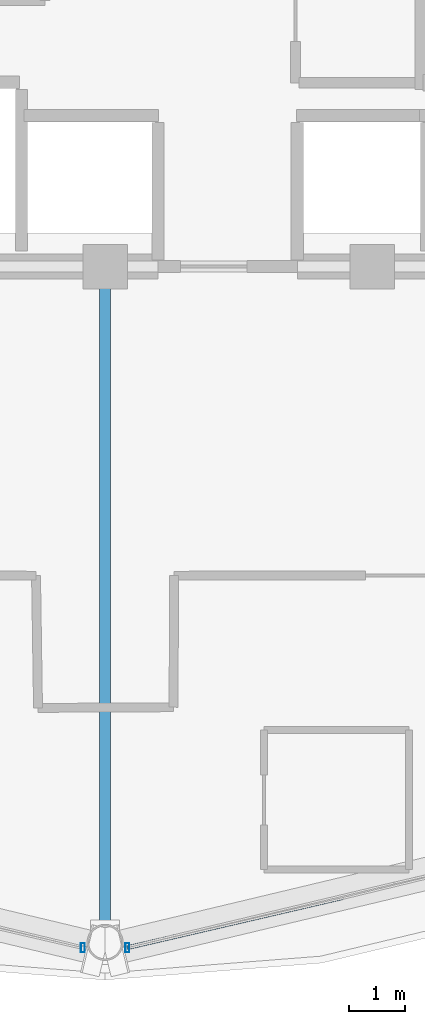
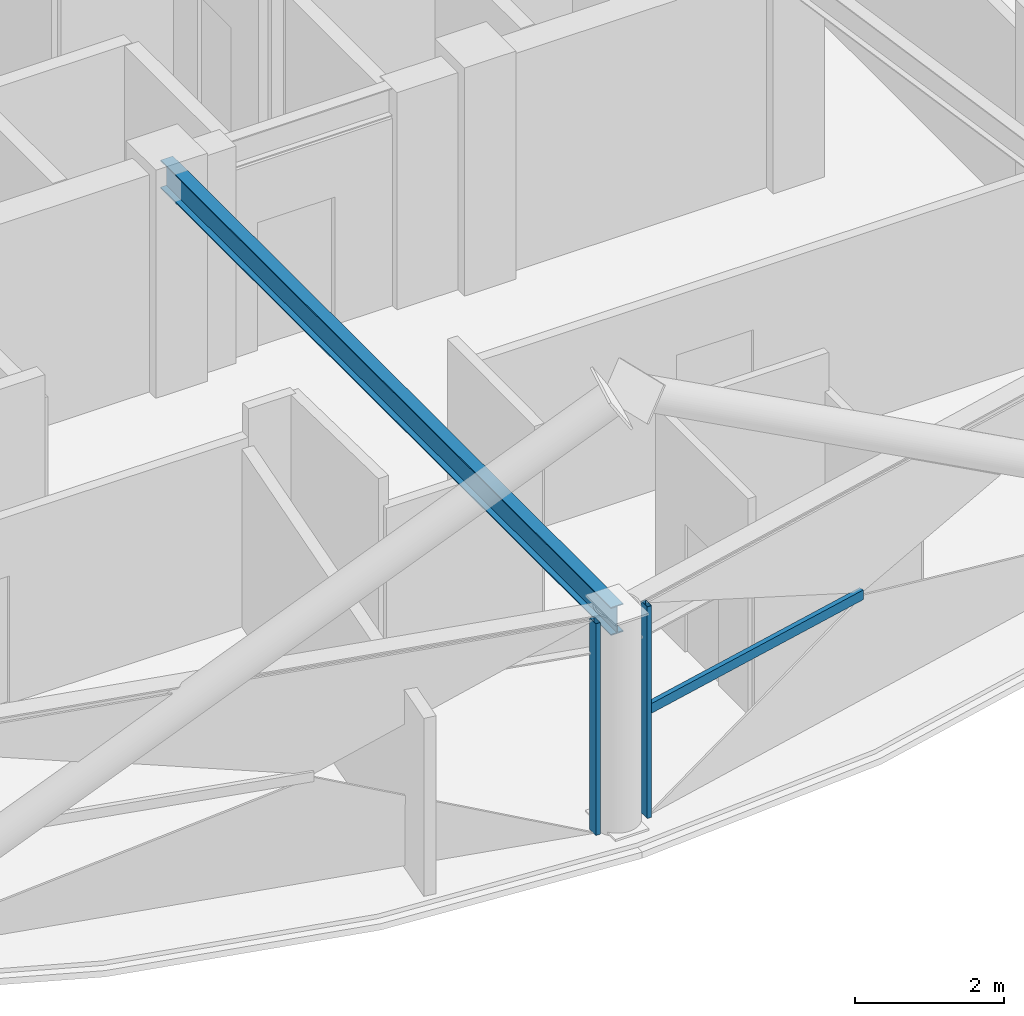
# One storey, part 5 of 28: 3 members, 1 beam, 2 elements without a shape of their own.
"""IFC4 building model written with IfcOpenShell, lengths in metres."""

import ifcopenshell
import ifcopenshell.guid

model = None  # the IFC model being written
_history = None  # IfcOwnerHistory: only IFC2X3 demands one
_inside = {}  # id of a spatial element -> (the spatial element, [elements in it])
_under = {}  # id of a project, library or spatial element -> (it, [spatial elements below it])
_declared = {}  # id of a project -> (the project, [libraries it declares])
_typed = {}  # id of a type object -> (the type object, [elements of that type])
_made_of = {}  # id of a material, layer set ... -> (it, [elements and type objects made of it])


def new_model(schema):
    """Start an empty IFC model of exactly this schema.

    Asked for "IFC4X3", IfcOpenShell would pick the latest addendum, in which some entities
    have other attributes; the version numbers below select the first issue.
    IFC2X3 requires an IfcOwnerHistory on every rooted entity: one is made here for all.
    """
    global model, _history
    if schema == "IFC4X3":
        model = ifcopenshell.file(schema_version=(4, 3, 0, 0))
    else:
        model = ifcopenshell.file(schema=schema)
    _inside.clear()
    _under.clear()
    _declared.clear()
    _typed.clear()
    _made_of.clear()
    _history = None
    if model.schema == "IFC2X3":
        org = make("IfcOrganization", Name="unknown")
        user = make(
            "IfcPersonAndOrganization",
            ThePerson=make("IfcPerson", FamilyName="unknown"),
            TheOrganization=org,
        )
        app = make(
            "IfcApplication",
            ApplicationDeveloper=org,
            Version="unknown",
            ApplicationFullName="unknown",
            ApplicationIdentifier="unknown",
        )
        _history = make(
            "IfcOwnerHistory",
            OwningUser=user,
            OwningApplication=app,
            ChangeAction="ADDED",
            CreationDate=0,
        )
    return model


def make(cls, **values):
    """One entity of the class cls with the attributes given. An attribute that is None is left unset."""
    return model.create_entity(
        cls, **{name: value for name, value in values.items() if value is not None}
    )


def rooted(cls, **values):
    """An entity with a GlobalId (a new one), such as an element, a storey or a relation."""
    return make(cls, GlobalId=ifcopenshell.guid.new(), OwnerHistory=_history, **values)


def si_unit(unit_type, name, prefix=None):
    """IfcSIUnit, for example si_unit("LENGTHUNIT", "METRE", prefix="MILLI")."""
    return make("IfcSIUnit", UnitType=unit_type, Prefix=prefix, Name=name)


def assignment(units):
    """IfcUnitAssignment: the units of a project."""
    return None if units is None else make("IfcUnitAssignment", Units=units)


def point(xyz):
    """IfcCartesianPoint."""
    return None if xyz is None else make("IfcCartesianPoint", Coordinates=xyz)


def direction(xyz):
    """IfcDirection."""
    return None if xyz is None else make("IfcDirection", DirectionRatios=xyz)


def frame(location, z_axis=None, x_axis=None):
    """IfcAxis2Placement3D, a coordinate frame: its origin and axes. An axis left out is left unset."""
    return make(
        "IfcAxis2Placement3D",
        Location=point(location),
        Axis=direction(z_axis),
        RefDirection=direction(x_axis),
    )


def frame_2d(location, x_axis=None):
    """IfcAxis2Placement2D, a coordinate frame in the plane: its origin and x axis."""
    return make(
        "IfcAxis2Placement2D", Location=point(location), RefDirection=direction(x_axis)
    )


def origin():
    """The frame at (0, 0, 0) with its axes left unset."""
    return frame((0.0, 0.0, 0.0))


def origin_2d():
    """The frame at (0, 0) in the plane with its x axis left unset."""
    return frame_2d((0.0, 0.0))


def place(relative_to, where):
    """IfcLocalPlacement: puts the frame where relative to a parent placement (None: the world)."""
    return make(
        "IfcLocalPlacement", PlacementRelTo=relative_to, RelativePlacement=where
    )


def context(
    kind, dimensions, precision=None, world=None, true_north=None, identifier=None
):
    """IfcGeometricRepresentationContext, for example the 3D "Model" context."""
    return make(
        "IfcGeometricRepresentationContext",
        ContextIdentifier=identifier,
        ContextType=kind,
        CoordinateSpaceDimension=dimensions,
        Precision=precision,
        WorldCoordinateSystem=world,
        TrueNorth=true_north,
    )


def subcontext(parent, identifier, kind, view, scale=None):
    """IfcGeometricRepresentationSubContext, for example "Body" below "Model"."""
    return make(
        "IfcGeometricRepresentationSubContext",
        ContextIdentifier=identifier,
        ContextType=kind,
        ParentContext=parent,
        TargetScale=scale,
        TargetView=view,
    )


def project(units=None, contexts=None):
    """IfcProject with its units and contexts."""
    return rooted(
        "IfcProject",
        Name="project",
        RepresentationContexts=contexts,
        UnitsInContext=assignment(units),
    )


def spatial(cls, under=None, at=None, **own):
    """A site, building, storey or space (cls), placed at a placement, below another one or the project."""
    s = rooted(cls, ObjectPlacement=at, **own)
    if under is not None:
        _under.setdefault(under.id(), (under, []))[1].append(s)
    return s


def profile(cls, at=None, kind="AREA", **sizes):
    """A parametric profile (cls). Its sizes go by their IFC names, for example OverallWidth=200.0."""
    return make(cls, ProfileType=kind, Position=at, **sizes)


def hollow_rectangle(**sizes):
    """IfcRectangleHollowProfileDef."""
    return profile("IfcRectangleHollowProfileDef", **sizes)


def i_section(**sizes):
    """IfcIShapeProfileDef."""
    return profile("IfcIShapeProfileDef", **sizes)


def extrude(swept, where, along, depth):
    """IfcExtrudedAreaSolid: the profile swept, set in the frame where, extruded along a direction by depth."""
    return make(
        "IfcExtrudedAreaSolid",
        SweptArea=swept,
        Position=where,
        ExtrudedDirection=direction(along),
        Depth=depth,
    )


def shape(context_of_items, identifier, shape_type, items):
    """IfcShapeRepresentation: the items that make up one representation, for example the "Body"."""
    return make(
        "IfcShapeRepresentation",
        ContextOfItems=context_of_items,
        RepresentationIdentifier=identifier,
        RepresentationType=shape_type,
        Items=items,
    )


def material(Name=None, Category=None):
    """IfcMaterial."""
    return make("IfcMaterial", Name=Name, Category=Category)


def layer(
    of_material, thickness, ventilated=None, Name=None, Category=None, Priority=None
):
    """IfcMaterialLayer: one layer of a wall or slab, of a material (None: an air gap)."""
    return make(
        "IfcMaterialLayer",
        Material=of_material,
        LayerThickness=thickness,
        IsVentilated=ventilated,
        Name=Name,
        Category=Category,
        Priority=Priority,
    )


def layer_set(layers, Name=None):
    """IfcMaterialLayerSet."""
    return make("IfcMaterialLayerSet", MaterialLayers=layers, LayerSetName=Name)


def material_profile(
    of_material, cross_section, Name=None, Category=None, Priority=None
):
    """IfcMaterialProfile: a cross section and its material."""
    return make(
        "IfcMaterialProfile",
        Name=Name,
        Material=of_material,
        Profile=cross_section,
        Priority=Priority,
        Category=Category,
    )


def profile_set(profiles, Name=None, composite=None):
    """IfcMaterialProfileSet."""
    return make(
        "IfcMaterialProfileSet",
        Name=Name,
        MaterialProfiles=profiles,
        CompositeProfile=composite,
    )


def made_of(thing, what):
    """Note that an element or type object is made of a material, layer set ...; save() writes the relation."""
    if what is not None:
        _made_of.setdefault(what.id(), (what, []))[1].append(thing)
    return thing


def type_object(cls, material=None, **own):
    """A type object (cls), such as IfcWallType, which elements share."""
    return made_of(rooted(cls, **own), material)


def element(
    cls,
    number,
    at=None,
    inside=None,
    cuts=None,
    type_object=None,
    material=None,
    context=None,
    identifier="Body",
    shape_type=None,
    held_by="IfcProductDefinitionShape",
    body=None,
    shapes=None,
    **own,
):
    """One element of the class cls, such as IfcWall. Its Tag is "e" and its number.

    at: its placement. inside: the storey or other place that contains it. cuts: it is an
    opening in that element (IfcRelVoidsElement). A single representation is given by context,
    identifier, shape_type and body (its items); several are given by shapes. held_by: the class
    of the entity that holds the representations. save() writes the other relations.
    """
    e = rooted(cls, Tag="e%d" % number, ObjectPlacement=at, **own)
    if body is not None:
        shapes = [shape(context, identifier, shape_type, body)]
    if shapes is not None:
        e.Representation = make(held_by, Representations=shapes)
    if inside is not None:
        _inside.setdefault(inside.id(), (inside, []))[1].append(e)
    if cuts is not None:
        rooted(
            "IfcRelVoidsElement", RelatingBuildingElement=cuts, RelatedOpeningElement=e
        )
    if type_object is not None:
        _typed.setdefault(type_object.id(), (type_object, []))[1].append(e)
    return made_of(e, material)


def aggregate(whole, parts):
    """IfcRelAggregates: a whole, such as a stair, and the parts it consists of."""
    return rooted("IfcRelAggregates", RelatingObject=whole, RelatedObjects=parts)


def save(model, path):
    """Write the relations noted so far, then the file.

    IfcRelAggregates (storeys below a building ...), IfcRelContainedInSpatialStructure (elements
    in a storey), IfcRelDefinesByType, IfcRelAssociatesMaterial and IfcRelDeclares: one each for
    every whole, place, type object, material and project.
    """
    for whole, parts in _under.values():
        aggregate(whole, parts)
    for where, things in _inside.values():
        rooted(
            "IfcRelContainedInSpatialStructure",
            RelatedElements=things,
            RelatingStructure=where,
        )
    for kind, things in _typed.values():
        rooted("IfcRelDefinesByType", RelatedObjects=things, RelatingType=kind)
    for what, things in _made_of.values():
        rooted("IfcRelAssociatesMaterial", RelatedObjects=things, RelatingMaterial=what)
    for by, libraries in _declared.values():
        rooted("IfcRelDeclares", RelatingContext=by, RelatedDefinitions=libraries)
    model.write(path)


model = new_model("IFC4")

# Units and contexts
model_context = context("Model", 3, precision=1e-05, world=origin(), true_north=direction((0.0, 1.0)))
body_context = subcontext(model_context, "Body", "Model", "MODEL_VIEW")
ifc_project = project(units=[si_unit("LENGTHUNIT", "METRE"), si_unit("AREAUNIT", "SQUARE_METRE"), si_unit("VOLUMEUNIT", "CUBIC_METRE"), si_unit("PLANEANGLEUNIT", "RADIAN"), si_unit("MASSUNIT", "GRAM", prefix="KILO")], contexts=[model_context])

# Site, building, storey
site_placement = place(None, origin())
site = spatial("IfcSite", under=ifc_project, at=site_placement, CompositionType="ELEMENT")
building_placement = place(site_placement, origin())
building = spatial("IfcBuilding", under=site, at=building_placement, Name="Vantalir Tower", CompositionType="ELEMENT")
storey_placement = place(building_placement, frame((0.0, 0.0, 242.39990234375)))
storey = spatial("IfcBuildingStorey", under=building, at=storey_placement, Name="L61", CompositionType="ELEMENT", Elevation=242.39990234375)

# Beam
ifc_material_1 = material(Name="Steel S355", Category="steel")
ifc_material_profile_1 = material_profile(ifc_material_1, i_section(OverallWidth=0.19189453125, OverallDepth=0.462890625, WebThickness=0.010498046875, FlangeThickness=0.017578125, at=origin_2d()), Name="Steel S355")
ifc_profile_set_1 = profile_set([ifc_material_profile_1], Name="Steel S355")
beam_type = type_object("IfcBeamType", Name="BM-RB-457x191", PredefinedType="BEAM", material=ifc_profile_set_1)
beam_placement = place(storey_placement, frame((31.5, 5.6669921875, 3.338134765625), z_axis=(0.0, 1.0, 0.0), x_axis=(-1.0, 0.0, 0.0)))
element("IfcBeam", 1, at=beam_placement, inside=storey, type_object=beam_type, Name="L61 Radial Floor Beam 10", PredefinedType="BEAM", context=body_context, shape_type="SweptSolid", body=[
    extrude(i_section(OverallWidth=0.19189453125, OverallDepth=0.462890625, WebThickness=0.010498046875, FlangeThickness=0.017578125, at=origin_2d()), origin(), (0.0, 0.0, 1.0), 12.133056640625),
])

# Curtain wall, member
ifc_material_2 = material(Name="Champagne-silver PVDF aluminium and double-silver Low-E glass", Category="aluminium")
ifc_layer = layer(ifc_material_2, 0.2099609375)
ifc_layer_set = layer_set([ifc_layer], Name="Champagne-silver PVDF aluminium and double-silver Low-E glass")
curtain_wall_type = type_object("IfcCurtainWallType", Name="CW-DIAMOND-Z3", PredefinedType="USERDEFINED", material=ifc_layer_set)
curtain_wall_1_placement = place(storey_placement, origin())
curtain_wall_1 = element("IfcCurtainWall", 2, at=curtain_wall_1_placement, inside=storey, type_object=curtain_wall_type, Name="L61 Quilted Pyramid-Diamond Curtain Wall S09", ObjectType="UNITISED CURTAIN WALL", PredefinedType="USERDEFINED")
ifc_material_3 = material(Name="Champagne-silver PVDF aluminium 6063-T6", Category="aluminium")
ifc_material_profile_2 = material_profile(ifc_material_3, hollow_rectangle(XDim=0.070068359375, YDim=0.1650390625, WallThickness=0.00390625, at=origin_2d()), Name="Champagne-silver PVDF aluminium 6063-T6")
ifc_profile_set_2 = profile_set([ifc_material_profile_2], Name="Champagne-silver PVDF aluminium 6063-T6")
member_type_1 = type_object("IfcMemberType", Name="CWM-165x70", PredefinedType="MULLION", material=ifc_profile_set_2)
member_1_placement = place(storey_placement, frame((31.10107421875, 5.572021484375, 0.045166015625), z_axis=(0.0, 0.0, 1.0), x_axis=(1.0, 0.0, 0.0)))
member_1 = element("IfcMember", 3, at=member_1_placement, type_object=member_type_1, Name="CW-L61-S09 Mullion 2", PredefinedType="MULLION", context=body_context, shape_type="SweptSolid", body=[
    extrude(hollow_rectangle(XDim=0.070068359375, YDim=0.1650390625, WallThickness=0.00390625, at=origin_2d()), origin(), (0.0, 0.0, 1.0), 3.47998046875),
])
aggregate(curtain_wall_1, [member_1])

# Curtain wall, members
curtain_wall_2_placement = place(storey_placement, origin())
curtain_wall_2 = element("IfcCurtainWall", 4, at=curtain_wall_2_placement, inside=storey, type_object=curtain_wall_type, Name="L61 Quilted Pyramid-Diamond Curtain Wall S10", ObjectType="UNITISED CURTAIN WALL", PredefinedType="USERDEFINED")
member_2_placement = place(storey_placement, frame((31.89892578125, 5.572021484375, 0.045166015625), z_axis=(0.0, 0.0, 1.0), x_axis=(1.0, 0.0, 0.0)))
member_2 = element("IfcMember", 5, at=member_2_placement, type_object=member_type_1, Name="CW-L61-S10 Mullion 1", PredefinedType="MULLION", context=body_context, shape_type="SweptSolid", body=[
    extrude(hollow_rectangle(XDim=0.070068359375, YDim=0.1650390625, WallThickness=0.00390625, at=origin_2d()), origin(), (0.0, 0.0, 1.0), 3.47998046875),
])
ifc_material_profile_3 = material_profile(ifc_material_3, hollow_rectangle(XDim=0.074951171875, YDim=0.159912109375, WallThickness=0.00390625, at=origin_2d()), Name="Champagne-silver PVDF aluminium 6063-T6")
ifc_profile_set_3 = profile_set([ifc_material_profile_3], Name="Champagne-silver PVDF aluminium 6063-T6")
member_type_2 = type_object("IfcMemberType", Name="CWT-160x75", PredefinedType="USERDEFINED", material=ifc_profile_set_3)
member_3_placement = place(storey_placement, frame((31.89892578125, 5.572021484375, 1.78515625), z_axis=(0.974002975998, 0.226535213039, 0.0), x_axis=(-0.226535213039, 0.974002975998, 0.0)))
member_3 = element("IfcMember", 6, at=member_3_placement, type_object=member_type_2, Name="CW-L61-S10 Pyramid Fold Ridge Transom", ObjectType="TRANSOM", PredefinedType="USERDEFINED", context=body_context, shape_type="SweptSolid", body=[
    extrude(hollow_rectangle(XDim=0.074951171875, YDim=0.159912109375, WallThickness=0.00390625, at=origin_2d()), origin(), (0.0, 0.0, 1.0), 3.96826171875),
])
aggregate(curtain_wall_2, [member_2, member_3])

save(model, "model.ifc")
